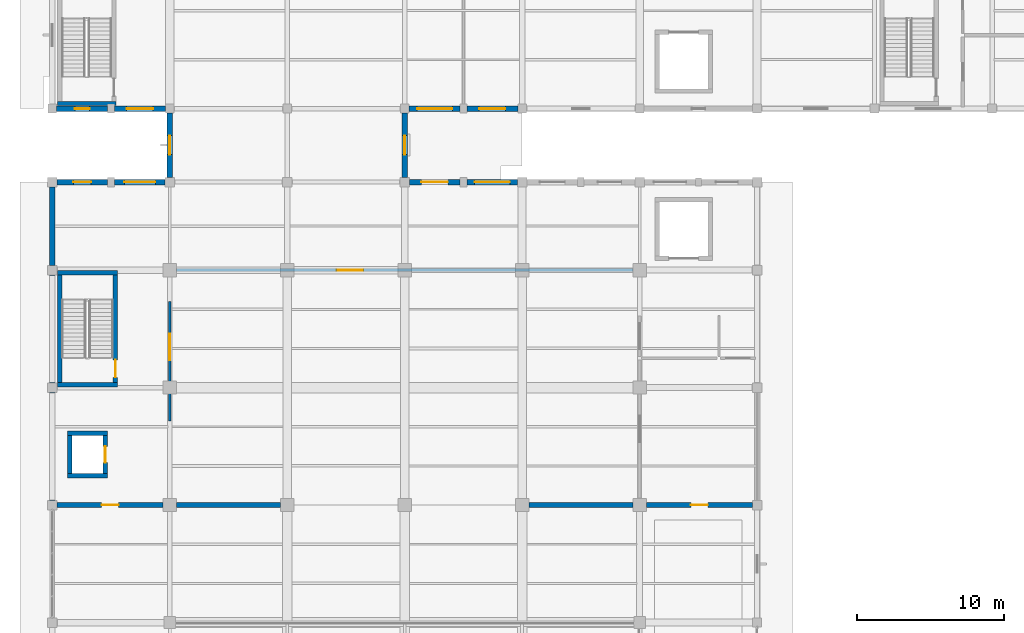
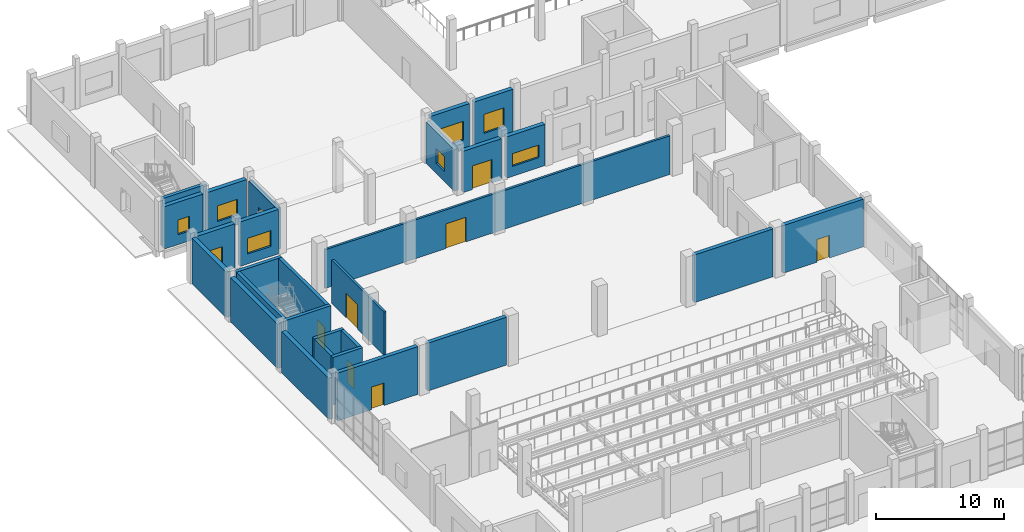
# One storey, part 123 of 156: 28 walls, 9 windows, 7 doors, 16 openings.
"""IFC4 building model written with IfcOpenShell, lengths in metres."""

from ifc_helpers import new_model, si_unit, direction, frame, frame_2d, origin, place, context, subcontext, project, spatial, rectangle, extrude, material, layer, layer_set, type_object, element, fill, save


model = new_model("IFC4")

# Units and contexts
model_context = context("Model", 3, precision=1e-05, world=origin(), true_north=direction((0.0, 1.0)))
body_context = subcontext(model_context, "Body", "Model", "MODEL_VIEW")
ifc_project = project(units=[si_unit("LENGTHUNIT", "METRE"), si_unit("AREAUNIT", "SQUARE_METRE"), si_unit("VOLUMEUNIT", "CUBIC_METRE"), si_unit("PLANEANGLEUNIT", "RADIAN"), si_unit("MASSUNIT", "GRAM", prefix="KILO")], contexts=[model_context])

# Site, building, storey
site_placement = place(None, origin())
site = spatial("IfcSite", under=ifc_project, at=site_placement, CompositionType="ELEMENT")
building_placement = place(site_placement, origin())
building = spatial("IfcBuilding", under=site, at=building_placement, Name="Luwemba Playhouse", CompositionType="ELEMENT")
storey_placement = place(building_placement, origin())
storey = spatial("IfcBuildingStorey", under=building, at=storey_placement, Name="L00", CompositionType="ELEMENT", Elevation=0.0)

# Walls
ifc_material_1 = material(Name="Clay facing brick obra vista masonry", Category="masonry")
ifc_layer_1 = layer(ifc_material_1, 0.3798828125)
ifc_layer_set_1 = layer_set([ifc_layer_1], Name="Clay facing brick obra vista masonry")
wall_type_1 = type_object("IfcWallType", Name="WAL-BRK-380", PredefinedType="SOLIDWALL", material=ifc_layer_set_1)
wall_1_placement = place(storey_placement, frame((4.0, 68.324951171875, 0.0), z_axis=(0.0, 0.0, 1.0), x_axis=(0.0, 1.0, 0.0)))
element("IfcWall", 1, at=wall_1_placement, inside=storey, type_object=wall_type_1, Name="L00 V2 exterior facade wall 0014", PredefinedType="SOLIDWALL", context=body_context, shape_type="SweptSolid", body=[
    extrude(rectangle(XDim=7.35009765625, YDim=0.3798828125, at=frame_2d((3.675048828125, 0.0))), origin(), (0.0, 0.0, 1.0), 3.93505859375),
])
wall_2_placement = place(storey_placement, frame((4.0, 76.324951171875, 0.0), z_axis=(0.0, 0.0, 1.0), x_axis=(0.0, 1.0, 0.0)))
element("IfcWall", 2, at=wall_2_placement, inside=storey, type_object=wall_type_1, Name="L00 V2 exterior facade wall 0015", PredefinedType="SOLIDWALL", context=body_context, shape_type="SweptSolid", body=[
    extrude(rectangle(XDim=7.35009765625, YDim=0.3798828125, at=frame_2d((3.675048828125, 0.0))), origin(), (0.0, 0.0, 1.0), 4.235107421875),
])
wall_3_placement = place(storey_placement, frame((4.0, 84.324951171875, 0.0), z_axis=(0.0, 0.0, 1.0), x_axis=(0.0, 1.0, 0.0)))
element("IfcWall", 3, at=wall_3_placement, inside=storey, type_object=wall_type_1, Name="L00 V2 exterior facade wall 0016", PredefinedType="SOLIDWALL", context=body_context, shape_type="SweptSolid", body=[
    extrude(rectangle(XDim=5.35009765625, YDim=0.3798828125, at=frame_2d((2.675048828125, 0.0))), origin(), (0.0, 0.0, 1.0), 4.3349609375),
])

# Wall, opening, window
wall_4_placement = place(storey_placement, frame((4.324951171875, 90.0, 0.0), z_axis=(0.0, 0.0, 1.0), x_axis=(1.0, 0.0, 0.0)))
wall_4 = element("IfcWall", 4, at=wall_4_placement, inside=storey, type_object=wall_type_1, Name="L00 V2 exterior facade wall 0017", PredefinedType="SOLIDWALL", context=body_context, shape_type="SweptSolid", body=[
    extrude(rectangle(XDim=3.425048828125, YDim=0.3798828125, at=frame_2d((1.71240234375, 0.0))), origin(), (0.0, 0.0, 1.0), 4.235107421875),
])
opening_1_placement = place(wall_4_placement, frame((1.112548828125, 0.0, 0.949951171875)))
opening_1 = element("IfcOpeningElement", 5, at=opening_1_placement, cuts=wall_4, Name="Opening WN-08", PredefinedType="OPENING", context=body_context, shape_type="SweptSolid", body=[
    extrude(rectangle(XDim=1.199951171875, YDim=1.5, at=frame_2d((0.60009765625, 0.75))), frame((0.0, 0.199951171875, 0.0), z_axis=(0.0, -1.0, 0.0), x_axis=(1.0, 0.0, 0.0)), (0.0, 0.0, 1.0), 0.39990234375),
])
ifc_material_2 = material(Name="Solar-control double glazing in aluminium frame", Category="aluminium")
window_type_1 = type_object("IfcWindowType", Name="WIN-WN-08", PartitioningType="SINGLE_PANEL", PredefinedType="WINDOW", material=ifc_material_2)
window_1_placement = place(opening_1_placement, origin())
window_1 = element("IfcWindow", 6, at=window_1_placement, inside=storey, type_object=window_type_1, Name="L00 V2 scheduled window 0006", OverallHeight=1.5, OverallWidth=1.199951171875, PartitioningType="SINGLE_PANEL", PredefinedType="WINDOW", context=body_context, shape_type="SweptSolid", body=[
    extrude(rectangle(XDim=1.199951171875, YDim=1.5, at=frame_2d((0.60009765625, 0.75))), frame((0.0, 0.030029296875, 0.0), z_axis=(0.0, -1.0, 0.0), x_axis=(1.0, 0.0, 0.0)), (0.0, 0.0, 1.0), 0.06005859375),
])
fill(opening_1, window_1)

wall_5_placement = place(storey_placement, frame((8.25, 90.0, 0.0), z_axis=(0.0, 0.0, 1.0), x_axis=(1.0, 0.0, 0.0)))
wall_5 = element("IfcWall", 7, at=wall_5_placement, inside=storey, type_object=wall_type_1, Name="L00 V2 exterior facade wall 0018", PredefinedType="SOLIDWALL", context=body_context, shape_type="SweptSolid", body=[
    extrude(rectangle(XDim=3.425048828125, YDim=0.3798828125, at=frame_2d((1.71240234375, 0.0))), origin(), (0.0, 0.0, 1.0), 4.235107421875),
])
opening_2_placement = place(wall_5_placement, frame((0.66259765625, 0.0, 0.949951171875)))
opening_2 = element("IfcOpeningElement", 8, at=opening_2_placement, cuts=wall_5, Name="Opening WN-11", PredefinedType="OPENING", context=body_context, shape_type="SweptSolid", body=[
    extrude(rectangle(XDim=2.10009765625, YDim=1.5, at=frame_2d((1.050048828125, 0.75))), frame((0.0, 0.199951171875, 0.0), z_axis=(0.0, -1.0, 0.0), x_axis=(1.0, 0.0, 0.0)), (0.0, 0.0, 1.0), 0.39990234375),
])
window_type_2 = type_object("IfcWindowType", Name="WIN-WN-11", PartitioningType="TRIPLE_PANEL_VERTICAL", PredefinedType="WINDOW", material=ifc_material_2)
window_2_placement = place(opening_2_placement, origin())
window_2 = element("IfcWindow", 9, at=window_2_placement, inside=storey, type_object=window_type_2, Name="L00 V2 scheduled window 0007", OverallHeight=1.5, OverallWidth=2.10009765625, PartitioningType="TRIPLE_PANEL_VERTICAL", PredefinedType="WINDOW", context=body_context, shape_type="SweptSolid", body=[
    extrude(rectangle(XDim=2.10009765625, YDim=1.5, at=frame_2d((1.050048828125, 0.75))), frame((0.0, 0.030029296875, 0.0), z_axis=(0.0, -1.0, 0.0), x_axis=(1.0, 0.0, 0.0)), (0.0, 0.0, 1.0), 0.06005859375),
])
fill(opening_2, window_2)

# Wall, opening, door
wall_6_placement = place(storey_placement, frame((28.324951171875, 90.0, 0.0), z_axis=(0.0, 0.0, 1.0), x_axis=(1.0, 0.0, 0.0)))
wall_6 = element("IfcWall", 10, at=wall_6_placement, inside=storey, type_object=wall_type_1, Name="L00 V2 exterior facade wall 0019", PredefinedType="SOLIDWALL", context=body_context, shape_type="SweptSolid", body=[
    extrude(rectangle(XDim=3.425048828125, YDim=0.3798828125, at=frame_2d((1.71240234375, 0.0))), origin(), (0.0, 0.0, 1.0), 3.93505859375),
])
opening_3_placement = place(wall_6_placement, frame((0.8125, 0.0, 0.0)))
opening_3 = element("IfcOpeningElement", 11, at=opening_3_placement, cuts=wall_6, Name="Opening E17", PredefinedType="OPENING", context=body_context, shape_type="SweptSolid", body=[
    extrude(rectangle(XDim=1.800048828125, YDim=2.25, at=frame_2d((0.89990234375, 1.125))), frame((0.0, 0.199951171875, 0.0), z_axis=(0.0, -1.0, 0.0), x_axis=(1.0, 0.0, 0.0)), (0.0, 0.0, 1.0), 0.39990234375),
])
ifc_material_3 = material(Name="Architectural bronze-anodised aluminium and glazed leaf", Category="aluminium")
door_type_1 = type_object("IfcDoorType", Name="DR-EXIT-180", OperationType="NOTDEFINED", PredefinedType="DOOR", material=ifc_material_3)
door_1_placement = place(opening_3_placement, origin())
door_1 = element("IfcDoor", 12, at=door_1_placement, inside=storey, type_object=door_type_1, Name="Stair ST-03 final exit discharge door", OperationType="DOUBLE_DOOR_SINGLE_SWING", OverallHeight=2.25, OverallWidth=1.800048828125, PredefinedType="DOOR", context=body_context, shape_type="SweptSolid", body=[
    extrude(rectangle(XDim=1.800048828125, YDim=2.25, at=frame_2d((0.89990234375, 1.125))), frame((0.0, 0.02490234375, 0.0), z_axis=(0.0, -1.0, 0.0), x_axis=(1.0, 0.0, 0.0)), (0.0, 0.0, 1.0), 0.050048828125),
])
fill(opening_3, door_1)

# Wall, opening, window
wall_7_placement = place(storey_placement, frame((32.25, 90.0, 0.0), z_axis=(0.0, 0.0, 1.0), x_axis=(1.0, 0.0, 0.0)))
wall_7 = element("IfcWall", 13, at=wall_7_placement, inside=storey, type_object=wall_type_1, Name="L00 V2 exterior facade wall 0020", PredefinedType="SOLIDWALL", context=body_context, shape_type="SweptSolid", body=[
    extrude(rectangle(XDim=3.425048828125, YDim=0.3798828125, at=frame_2d((1.71240234375, 0.0))), origin(), (0.0, 0.0, 1.0), 3.93505859375),
])
opening_4_placement = place(wall_7_placement, frame((0.512451171875, 0.0, 0.949951171875)))
opening_4 = element("IfcOpeningElement", 14, at=opening_4_placement, cuts=wall_7, Name="Opening WN-17", PredefinedType="OPENING", context=body_context, shape_type="SweptSolid", body=[
    extrude(rectangle(XDim=2.39990234375, YDim=1.199951171875, at=frame_2d((1.199951171875, 0.60009765625))), frame((0.0, 0.199951171875, 0.0), z_axis=(0.0, -1.0, 0.0), x_axis=(1.0, 0.0, 0.0)), (0.0, 0.0, 1.0), 0.39990234375),
])
window_type_3 = type_object("IfcWindowType", Name="WIN-WN-17", PartitioningType="TRIPLE_PANEL_HORIZONTAL", PredefinedType="WINDOW", material=ifc_material_2)
window_3_placement = place(opening_4_placement, origin())
window_3 = element("IfcWindow", 15, at=window_3_placement, inside=storey, type_object=window_type_3, Name="L00 V2 scheduled window 0008", OverallHeight=1.199951171875, OverallWidth=2.39990234375, PartitioningType="TRIPLE_PANEL_HORIZONTAL", PredefinedType="WINDOW", context=body_context, shape_type="SweptSolid", body=[
    extrude(rectangle(XDim=2.39990234375, YDim=1.199951171875, at=frame_2d((1.199951171875, 0.60009765625))), frame((0.0, 0.030029296875, 0.0), z_axis=(0.0, -1.0, 0.0), x_axis=(1.0, 0.0, 0.0)), (0.0, 0.0, 1.0), 0.06005859375),
])
fill(opening_4, window_3)

wall_8_placement = place(storey_placement, frame((35.699951171875, 95.0, 0.0), z_axis=(0.0, 0.0, 1.0), x_axis=(-1.0, 0.0, 0.0)))
wall_8 = element("IfcWall", 16, at=wall_8_placement, inside=storey, type_object=wall_type_1, Name="L00 V6W exterior facade wall 0107", PredefinedType="SOLIDWALL", context=body_context, shape_type="SweptSolid", body=[
    extrude(rectangle(XDim=3.474853515625, YDim=0.3798828125, at=frame_2d((1.7373046875, 0.0))), origin(), (0.0, 0.0, 1.0), 4.235107421875),
])
opening_5_placement = place(wall_8_placement, frame((0.83740234375, 0.0, 0.949951171875)))
opening_5 = element("IfcOpeningElement", 17, at=opening_5_placement, cuts=wall_8, Name="Opening WN-04", PredefinedType="OPENING", context=body_context, shape_type="SweptSolid", body=[
    extrude(rectangle(XDim=1.800048828125, YDim=1.800048828125, at=frame_2d((0.89990234375, 0.89990234375))), frame((0.0, 0.199951171875, 0.0), z_axis=(0.0, -1.0, 0.0), x_axis=(1.0, 0.0, 0.0)), (0.0, 0.0, 1.0), 0.39990234375),
])
window_type_4 = type_object("IfcWindowType", Name="WIN-WN-04", PartitioningType="DOUBLE_PANEL_VERTICAL", PredefinedType="WINDOW", material=ifc_material_2)
window_4_placement = place(opening_5_placement, origin())
window_4 = element("IfcWindow", 18, at=window_4_placement, inside=storey, type_object=window_type_4, Name="L00 V6W scheduled window 0066", OverallHeight=1.800048828125, OverallWidth=1.800048828125, PartitioningType="DOUBLE_PANEL_VERTICAL", PredefinedType="WINDOW", context=body_context, shape_type="SweptSolid", body=[
    extrude(rectangle(XDim=1.800048828125, YDim=1.800048828125, at=frame_2d((0.89990234375, 0.89990234375))), frame((0.0, 0.030029296875, 0.0), z_axis=(0.0, -1.0, 0.0), x_axis=(1.0, 0.0, 0.0)), (0.0, 0.0, 1.0), 0.06005859375),
])
fill(opening_5, window_4)

wall_9_placement = place(storey_placement, frame((31.77490234375, 95.0, 0.0), z_axis=(0.0, 0.0, 1.0), x_axis=(-1.0, 0.0, 0.0)))
wall_9 = element("IfcWall", 19, at=wall_9_placement, inside=storey, type_object=wall_type_1, Name="L00 V6W exterior facade wall 0108", PredefinedType="SOLIDWALL", context=body_context, shape_type="SweptSolid", body=[
    extrude(rectangle(XDim=3.474853515625, YDim=0.3798828125, at=frame_2d((1.7373046875, 0.0))), origin(), (0.0, 0.0, 1.0), 4.235107421875),
])
opening_6_placement = place(wall_9_placement, frame((0.53759765625, 0.0, 0.949951171875)))
opening_6 = element("IfcOpeningElement", 20, at=opening_6_placement, cuts=wall_9, Name="Opening WN-07", PredefinedType="OPENING", context=body_context, shape_type="SweptSolid", body=[
    extrude(rectangle(XDim=2.39990234375, YDim=1.800048828125, at=frame_2d((1.199951171875, 0.89990234375))), frame((0.0, 0.199951171875, 0.0), z_axis=(0.0, -1.0, 0.0), x_axis=(1.0, 0.0, 0.0)), (0.0, 0.0, 1.0), 0.39990234375),
])
window_type_5 = type_object("IfcWindowType", Name="WIN-WN-07", PartitioningType="TRIPLE_PANEL_VERTICAL", PredefinedType="WINDOW", material=ifc_material_2)
window_5_placement = place(opening_6_placement, origin())
window_5 = element("IfcWindow", 21, at=window_5_placement, inside=storey, type_object=window_type_5, Name="L00 V6W scheduled window 0067", OverallHeight=1.800048828125, OverallWidth=2.39990234375, PartitioningType="TRIPLE_PANEL_VERTICAL", PredefinedType="WINDOW", context=body_context, shape_type="SweptSolid", body=[
    extrude(rectangle(XDim=2.39990234375, YDim=1.800048828125, at=frame_2d((1.199951171875, 0.89990234375))), frame((0.0, 0.030029296875, 0.0), z_axis=(0.0, -1.0, 0.0), x_axis=(1.0, 0.0, 0.0)), (0.0, 0.0, 1.0), 0.06005859375),
])
fill(opening_6, window_5)

wall_10_placement = place(storey_placement, frame((11.699951171875, 95.0, 0.0), z_axis=(0.0, 0.0, 1.0), x_axis=(-1.0, 0.0, 0.0)))
wall_10 = element("IfcWall", 22, at=wall_10_placement, inside=storey, type_object=wall_type_1, Name="L00 V6W exterior facade wall 0109", PredefinedType="SOLIDWALL", context=body_context, shape_type="SweptSolid", body=[
    extrude(rectangle(XDim=3.474853515625, YDim=0.3798828125, at=frame_2d((1.7373046875, 0.0))), origin(), (0.0, 0.0, 1.0), 4.034912109375),
])
opening_7_placement = place(wall_10_placement, frame((0.83740234375, 0.0, 0.949951171875)))
opening_7 = element("IfcOpeningElement", 23, at=opening_7_placement, cuts=wall_10, Name="Opening WN-10", PredefinedType="OPENING", context=body_context, shape_type="SweptSolid", body=[
    extrude(rectangle(XDim=1.800048828125, YDim=1.5, at=frame_2d((0.89990234375, 0.75))), frame((0.0, 0.199951171875, 0.0), z_axis=(0.0, -1.0, 0.0), x_axis=(1.0, 0.0, 0.0)), (0.0, 0.0, 1.0), 0.39990234375),
])
window_type_6 = type_object("IfcWindowType", Name="WIN-WN-10", PartitioningType="DOUBLE_PANEL_VERTICAL", PredefinedType="WINDOW", material=ifc_material_2)
window_6_placement = place(opening_7_placement, origin())
window_6 = element("IfcWindow", 24, at=window_6_placement, inside=storey, type_object=window_type_6, Name="L00 V6W scheduled window 0068", OverallHeight=1.5, OverallWidth=1.800048828125, PartitioningType="DOUBLE_PANEL_VERTICAL", PredefinedType="WINDOW", context=body_context, shape_type="SweptSolid", body=[
    extrude(rectangle(XDim=1.800048828125, YDim=1.5, at=frame_2d((0.89990234375, 0.75))), frame((0.0, 0.030029296875, 0.0), z_axis=(0.0, -1.0, 0.0), x_axis=(1.0, 0.0, 0.0)), (0.0, 0.0, 1.0), 0.06005859375),
])
fill(opening_7, window_6)

wall_11_placement = place(storey_placement, frame((7.77490234375, 95.0, 0.0), z_axis=(0.0, 0.0, 1.0), x_axis=(-1.0, 0.0, 0.0)))
wall_11 = element("IfcWall", 25, at=wall_11_placement, inside=storey, type_object=wall_type_1, Name="L00 V6W exterior facade wall 0110", PredefinedType="SOLIDWALL", context=body_context, shape_type="SweptSolid", body=[
    extrude(rectangle(XDim=3.474853515625, YDim=0.3798828125, at=frame_2d((1.7373046875, 0.0))), origin(), (0.0, 0.0, 1.0), 4.034912109375),
])
opening_8_placement = place(wall_11_placement, frame((1.237548828125, 0.0, 0.949951171875)))
opening_8 = element("IfcOpeningElement", 26, at=opening_8_placement, cuts=wall_11, Name="Opening WN-13", PredefinedType="OPENING", context=body_context, shape_type="SweptSolid", body=[
    extrude(rectangle(XDim=1.0, YDim=1.39990234375, at=frame_2d((0.5, 0.699951171875))), frame((0.0, 0.199951171875, 0.0), z_axis=(0.0, -1.0, 0.0), x_axis=(1.0, 0.0, 0.0)), (0.0, 0.0, 1.0), 0.39990234375),
])
window_type_7 = type_object("IfcWindowType", Name="WIN-WN-13", PartitioningType="SINGLE_PANEL", PredefinedType="WINDOW", material=ifc_material_2)
window_7_placement = place(opening_8_placement, origin())
window_7 = element("IfcWindow", 27, at=window_7_placement, inside=storey, type_object=window_type_7, Name="L00 V6W scheduled window 0069", OverallHeight=1.39990234375, OverallWidth=1.0, PartitioningType="SINGLE_PANEL", PredefinedType="WINDOW", context=body_context, shape_type="SweptSolid", body=[
    extrude(rectangle(XDim=1.0, YDim=1.39990234375, at=frame_2d((0.5, 0.699951171875))), frame((0.0, 0.030029296875, 0.0), z_axis=(0.0, -1.0, 0.0), x_axis=(1.0, 0.0, 0.0)), (0.0, 0.0, 1.0), 0.06005859375),
])
fill(opening_8, window_7)

wall_12_placement = place(storey_placement, frame((12.0, 90.324951171875, 0.0), z_axis=(0.0, 0.0, 1.0), x_axis=(0.0, 1.0, 0.0)))
wall_12 = element("IfcWall", 28, at=wall_12_placement, inside=storey, type_object=wall_type_1, Name="L00 DOCKLINK exterior facade wall 0134", PredefinedType="SOLIDWALL", context=body_context, shape_type="SweptSolid", body=[
    extrude(rectangle(XDim=4.375, YDim=0.3798828125, at=frame_2d((2.1875, 0.0))), origin(), (0.0, 0.0, 1.0), 3.945068359375),
])
opening_9_placement = place(wall_12_placement, frame((1.53759765625, 0.0, 0.949951171875)))
opening_9 = element("IfcOpeningElement", 29, at=opening_9_placement, cuts=wall_12, Name="Opening WN-14", PredefinedType="OPENING", context=body_context, shape_type="SweptSolid", body=[
    extrude(rectangle(XDim=1.300048828125, YDim=1.39990234375, at=frame_2d((0.64990234375, 0.699951171875))), frame((0.0, 0.199951171875, 0.0), z_axis=(0.0, -1.0, 0.0), x_axis=(1.0, 0.0, 0.0)), (0.0, 0.0, 1.0), 0.39990234375),
])
window_type_8 = type_object("IfcWindowType", Name="WIN-WN-14", PartitioningType="SINGLE_PANEL", PredefinedType="WINDOW", material=ifc_material_2)
window_8_placement = place(opening_9_placement, origin())
window_8 = element("IfcWindow", 30, at=window_8_placement, inside=storey, type_object=window_type_8, Name="L00 DOCKLINK scheduled window 0089", OverallHeight=1.39990234375, OverallWidth=1.300048828125, PartitioningType="SINGLE_PANEL", PredefinedType="WINDOW", context=body_context, shape_type="SweptSolid", body=[
    extrude(rectangle(XDim=1.300048828125, YDim=1.39990234375, at=frame_2d((0.64990234375, 0.699951171875))), frame((0.0, 0.030029296875, 0.0), z_axis=(0.0, -1.0, 0.0), x_axis=(1.0, 0.0, 0.0)), (0.0, 0.0, 1.0), 0.06005859375),
])
fill(opening_9, window_8)

wall_13_placement = place(storey_placement, frame((28.0, 94.699951171875, 0.0), z_axis=(0.0, 0.0, 1.0), x_axis=(0.0, -1.0, 0.0)))
wall_13 = element("IfcWall", 31, at=wall_13_placement, inside=storey, type_object=wall_type_1, Name="L00 DOCKLINK exterior facade wall 0135", PredefinedType="SOLIDWALL", context=body_context, shape_type="SweptSolid", body=[
    extrude(rectangle(XDim=4.375, YDim=0.3798828125, at=frame_2d((2.1875, 0.0))), origin(), (0.0, 0.0, 1.0), 3.945068359375),
])
opening_10_placement = place(wall_13_placement, frame((1.53759765625, 0.0, 0.949951171875)))
opening_10 = element("IfcOpeningElement", 32, at=opening_10_placement, cuts=wall_13, Name="Opening WN-14", PredefinedType="OPENING", context=body_context, shape_type="SweptSolid", body=[
    extrude(rectangle(XDim=1.300048828125, YDim=1.39990234375, at=frame_2d((0.64990234375, 0.699951171875))), frame((0.0, 0.199951171875, 0.0), z_axis=(0.0, -1.0, 0.0), x_axis=(1.0, 0.0, 0.0)), (0.0, 0.0, 1.0), 0.39990234375),
])
window_9_placement = place(opening_10_placement, origin())
window_9 = element("IfcWindow", 33, at=window_9_placement, inside=storey, type_object=window_type_8, Name="L00 DOCKLINK scheduled window 0090", OverallHeight=1.39990234375, OverallWidth=1.300048828125, PartitioningType="SINGLE_PANEL", PredefinedType="WINDOW", context=body_context, shape_type="SweptSolid", body=[
    extrude(rectangle(XDim=1.300048828125, YDim=1.39990234375, at=frame_2d((0.64990234375, 0.699951171875))), frame((0.0, 0.030029296875, 0.0), z_axis=(0.0, -1.0, 0.0), x_axis=(1.0, 0.0, 0.0)), (0.0, 0.0, 1.0), 0.06005859375),
])
fill(opening_10, window_9)

# Walls
ifc_material_4 = material(Name="Concrete C40/50", Category="concrete")
ifc_layer_2 = layer(ifc_material_4, 0.300048828125)
ifc_layer_set_2 = layer_set([ifc_layer_2], Name="Concrete C40/50")
wall_type_2 = type_object("IfcWallType", Name="WAL-CORE-300", PredefinedType="SHEAR", material=ifc_layer_set_2)
for number, where, z_axis, x_axis, name in (
    (34, (4.35009765625, 76.18994140625, 0.0), (0.0, 0.0, 1.0), (1.0, 0.0, 0.0), "L00 ST-03 stair core wall S"),
    (35, (8.449951171875, 83.81005859375, 0.0), (0.0, 0.0, 1.0), (-1.0, 0.0, 0.0), "L00 ST-03 stair core wall N"),
):
    element("IfcWall", number, at=place(storey_placement, frame(where, z_axis=z_axis, x_axis=x_axis)), inside=storey, type_object=wall_type_2, Name=name, PredefinedType="SHEAR", context=body_context, shape_type="SweptSolid", body=[
        extrude(rectangle(XDim=4.099853515625, YDim=0.300048828125, at=frame_2d((2.0498046875, 0.0))), origin(), (0.0, 0.0, 1.0), 4.550048828125),
    ])
wall_14_placement = place(storey_placement, frame((4.5, 76.340087890625, 0.0), z_axis=(0.0, 0.0, 1.0), x_axis=(0.0, 1.0, 0.0)))
element("IfcWall", 36, at=wall_14_placement, inside=storey, type_object=wall_type_2, Name="L00 ST-03 stair core wall W", PredefinedType="SHEAR", context=body_context, shape_type="SweptSolid", body=[
    extrude(rectangle(XDim=7.31982421875, YDim=0.300048828125, at=frame_2d((3.659912109375, 0.0))), origin(), (0.0, 0.0, 1.0), 4.550048828125),
])

# Wall, opening, door
wall_15_placement = place(storey_placement, frame((8.300048828125, 83.659912109375, 0.0), z_axis=(0.0, 0.0, 1.0), x_axis=(0.0, -1.0, 0.0)))
wall_15 = element("IfcWall", 37, at=wall_15_placement, inside=storey, type_object=wall_type_2, Name="L00 ST-03 stair core wall E", PredefinedType="SHEAR", context=body_context, shape_type="SweptSolid", body=[
    extrude(rectangle(XDim=7.31982421875, YDim=0.300048828125, at=frame_2d((3.659912109375, 0.0))), origin(), (0.0, 0.0, 1.0), 4.550048828125),
])
opening_11_placement = place(wall_15_placement, frame((5.77001953125, 0.0, 0.0)))
opening_11 = element("IfcOpeningElement", 38, at=opening_11_placement, cuts=wall_15, Name="Opening D-STAIR3", PredefinedType="OPENING", context=body_context, shape_type="SweptSolid", body=[
    extrude(rectangle(XDim=1.199951171875, YDim=2.14990234375, at=frame_2d((0.60009765625, 1.074951171875))), frame((0.0, 0.159912109375, 0.0), z_axis=(0.0, -1.0, 0.0), x_axis=(1.0, 0.0, 0.0)), (0.0, 0.0, 1.0), 0.320068359375),
])
ifc_material_5 = material(Name="Hardwood acoustic fire door leaf", Category="wood")
door_type_2 = type_object("IfcDoorType", Name="DR-STAIR-120", OperationType="NOTDEFINED", PredefinedType="DOOR", material=ifc_material_5)
door_2_placement = place(opening_11_placement, origin())
door_2 = element("IfcDoor", 39, at=door_2_placement, inside=storey, type_object=door_type_2, Name="L00 ST-03 protected stair entry door", OperationType="SINGLE_SWING_LEFT", OverallHeight=2.14990234375, OverallWidth=1.199951171875, PredefinedType="DOOR", context=body_context, shape_type="SweptSolid", body=[
    extrude(rectangle(XDim=1.199951171875, YDim=2.14990234375, at=frame_2d((0.60009765625, 1.074951171875))), frame((0.0, 0.02490234375, 0.0), z_axis=(0.0, -1.0, 0.0), x_axis=(1.0, 0.0, 0.0)), (0.0, 0.0, 1.0), 0.050048828125),
])
fill(opening_11, door_2)

# Walls
wall_16_placement = place(storey_placement, frame((4.35009765625, 95.35009765625, 0.0), z_axis=(0.0, 0.0, 1.0), x_axis=(1.0, 0.0, 0.0)))
element("IfcWall", 40, at=wall_16_placement, inside=storey, type_object=wall_type_2, Name="L00 ST-08 stair core wall S", PredefinedType="SHEAR", context=body_context, shape_type="SweptSolid", body=[
    extrude(rectangle(XDim=4.0, YDim=0.300048828125, at=frame_2d((2.0, 0.0))), origin(), (0.0, 0.0, 1.0), 4.550048828125),
])
for number, where, z_axis, x_axis, name in (
    (41, (5.050048828125, 70.0, 0.0), (0.0, 0.0, 1.0), (1.0, 0.0, 0.0), "L00 Lift LF-P2 shaft wall S"),
    (42, (7.75, 72.89990234375, 0.0), (0.0, 0.0, 1.0), (-1.0, 0.0, 0.0), "L00 Lift LF-P2 shaft wall N"),
):
    element("IfcWall", number, at=place(storey_placement, frame(where, z_axis=z_axis, x_axis=x_axis)), inside=storey, type_object=wall_type_2, Name=name, PredefinedType="SHEAR", context=body_context, shape_type="SweptSolid", body=[
        extrude(rectangle(XDim=2.699951171875, YDim=0.300048828125, at=frame_2d((1.35009765625, 0.0))), origin(), (0.0, 0.0, 1.0), 4.550048828125),
    ])
wall_17_placement = place(storey_placement, frame((5.199951171875, 70.14990234375, 0.0), z_axis=(0.0, 0.0, 1.0), x_axis=(0.0, 1.0, 0.0)))
element("IfcWall", 43, at=wall_17_placement, inside=storey, type_object=wall_type_2, Name="L00 Lift LF-P2 shaft wall W", PredefinedType="SHEAR", context=body_context, shape_type="SweptSolid", body=[
    extrude(rectangle(XDim=2.60009765625, YDim=0.300048828125, at=frame_2d((1.300048828125, 0.0))), origin(), (0.0, 0.0, 1.0), 4.550048828125),
])

# Wall, opening, door
wall_18_placement = place(storey_placement, frame((7.60009765625, 72.75, 0.0), z_axis=(0.0, 0.0, 1.0), x_axis=(0.0, -1.0, 0.0)))
wall_18 = element("IfcWall", 44, at=wall_18_placement, inside=storey, type_object=wall_type_2, Name="L00 Lift LF-P2 shaft wall E", PredefinedType="SHEAR", context=body_context, shape_type="SweptSolid", body=[
    extrude(rectangle(XDim=2.60009765625, YDim=0.300048828125, at=frame_2d((1.300048828125, 0.0))), origin(), (0.0, 0.0, 1.0), 4.550048828125),
])
opening_12_placement = place(wall_18_placement, frame((0.75, 0.0, 0.0)))
opening_12 = element("IfcOpeningElement", 45, at=opening_12_placement, cuts=wall_18, Name="Opening LD-01", PredefinedType="OPENING", context=body_context, shape_type="SweptSolid", body=[
    extrude(rectangle(XDim=1.10009765625, YDim=2.14990234375, at=frame_2d((0.550048828125, 1.074951171875))), frame((0.0, 0.159912109375, 0.0), z_axis=(0.0, -1.0, 0.0), x_axis=(1.0, 0.0, 0.0)), (0.0, 0.0, 1.0), 0.320068359375),
])
ifc_material_6 = material(Name="Stainless steel lift landing doors", Category="steel")
door_type_3 = type_object("IfcDoorType", Name="DR-LIFT-110", OperationType="NOTDEFINED", PredefinedType="DOOR", material=ifc_material_6)
door_3_placement = place(opening_12_placement, origin())
door_3 = element("IfcDoor", 46, at=door_3_placement, inside=storey, type_object=door_type_3, Name="L00 Lift LF-P2 landing door", OperationType="DOUBLE_DOOR_SLIDING", OverallHeight=2.14990234375, OverallWidth=1.10009765625, PredefinedType="DOOR", context=body_context, shape_type="SweptSolid", body=[
    extrude(rectangle(XDim=1.10009765625, YDim=2.14990234375, at=frame_2d((0.550048828125, 1.074951171875))), frame((0.0, 0.02490234375, 0.0), z_axis=(0.0, -1.0, 0.0), x_axis=(1.0, 0.0, 0.0)), (0.0, 0.0, 1.0), 0.050048828125),
])
fill(opening_12, door_3)

ifc_material_7 = material(Name="Clay acoustic masonry blockwork", Category="masonry")
ifc_layer_3 = layer(ifc_material_7, 0.199951171875)
ifc_layer_set_3 = layer_set([ifc_layer_3], Name="Clay acoustic masonry blockwork")
wall_type_3 = type_object("IfcWallType", Name="WAL-INT-200", PredefinedType="PARTITIONING", material=ifc_layer_set_3)
wall_19_placement = place(storey_placement, frame((12.469970703125, 84.0, 0.0), z_axis=(0.0, 0.0, 1.0), x_axis=(1.0, 0.0, 0.0)))
wall_19 = element("IfcWall", 47, at=wall_19_placement, inside=storey, type_object=wall_type_3, Name="L00 V2 interior partition 0067", PredefinedType="PARTITIONING", context=body_context, shape_type="SweptSolid", body=[
    extrude(rectangle(XDim=31.06005859375, YDim=0.199951171875, at=frame_2d((15.530029296875, 0.0))), origin(), (0.0, 0.0, 1.0), 3.68505859375),
])
opening_13_placement = place(wall_19_placement, frame((10.90283203125, 0.0, 0.0)))
opening_13 = element("IfcOpeningElement", 48, at=opening_13_placement, cuts=wall_19, Name="Opening D-AUD1", PredefinedType="OPENING", context=body_context, shape_type="SweptSolid", body=[
    extrude(rectangle(XDim=1.800048828125, YDim=2.35009765625, at=frame_2d((0.89990234375, 1.175048828125))), frame((0.0, 0.10986328125, 0.0), z_axis=(0.0, -1.0, 0.0), x_axis=(1.0, 0.0, 0.0)), (0.0, 0.0, 1.0), 0.219970703125),
])
ifc_material_8 = material(Name="Double acoustic timber theatre door", Category="wood")
door_type_4 = type_object("IfcDoorType", Name="DR-AUD-180", OperationType="NOTDEFINED", PredefinedType="DOOR", material=ifc_material_8)
door_4_placement = place(opening_13_placement, origin())
door_4 = element("IfcDoor", 49, at=door_4_placement, inside=storey, type_object=door_type_4, Name="L00 Main Proscenium Stage to Rear Stage Assembly Crossover door", OperationType="DOUBLE_DOOR_SINGLE_SWING", OverallHeight=2.35009765625, OverallWidth=1.800048828125, PredefinedType="DOOR", context=body_context, shape_type="SweptSolid", body=[
    extrude(rectangle(XDim=1.800048828125, YDim=2.35009765625, at=frame_2d((0.89990234375, 1.175048828125))), frame((0.0, 0.02490234375, 0.0), z_axis=(0.0, -1.0, 0.0), x_axis=(1.0, 0.0, 0.0)), (0.0, 0.0, 1.0), 0.050048828125),
])
fill(opening_13, door_4)

wall_20_placement = place(storey_placement, frame((12.0, 73.719970703125, 0.0), z_axis=(0.0, 0.0, 1.0), x_axis=(0.0, 1.0, 0.0)))
wall_20 = element("IfcWall", 50, at=wall_20_placement, inside=storey, type_object=wall_type_3, Name="L00 V2 interior partition 0068", PredefinedType="PARTITIONING", context=body_context, shape_type="SweptSolid", body=[
    extrude(rectangle(XDim=8.159912109375, YDim=0.199951171875, at=frame_2d((4.080078125, 0.0))), origin(), (0.0, 0.0, 1.0), 4.14501953125),
])
opening_14_placement = place(wall_20_placement, frame((4.1591796875, 0.0, 0.0)))
opening_14 = element("IfcOpeningElement", 51, at=opening_14_placement, cuts=wall_20, Name="Opening D-AUD1", PredefinedType="OPENING", context=body_context, shape_type="SweptSolid", body=[
    extrude(rectangle(XDim=1.800048828125, YDim=2.35009765625, at=frame_2d((0.89990234375, 1.175048828125))), frame((0.0, 0.10986328125, 0.0), z_axis=(0.0, -1.0, 0.0), x_axis=(1.0, 0.0, 0.0)), (0.0, 0.0, 1.0), 0.219970703125),
])
door_5_placement = place(opening_14_placement, origin())
door_5 = element("IfcDoor", 52, at=door_5_placement, inside=storey, type_object=door_type_4, Name="L00 Main Proscenium Stage to Prompt Side Stage Wing door", OperationType="DOUBLE_DOOR_SINGLE_SWING", OverallHeight=2.35009765625, OverallWidth=1.800048828125, PredefinedType="DOOR", context=body_context, shape_type="SweptSolid", body=[
    extrude(rectangle(XDim=1.800048828125, YDim=2.35009765625, at=frame_2d((0.89990234375, 1.175048828125))), frame((0.0, 0.02490234375, 0.0), z_axis=(0.0, -1.0, 0.0), x_axis=(1.0, 0.0, 0.0)), (0.0, 0.0, 1.0), 0.050048828125),
])
fill(opening_14, door_5)

ifc_layer_4 = layer(ifc_material_4, 0.35009765625)
ifc_layer_set_4 = layer_set([ifc_layer_4], Name="Concrete C40/50")
wall_type_4 = type_object("IfcWallType", Name="WAL-PROS-350", PredefinedType="SHEAR", material=ifc_layer_set_4)
wall_21_placement = place(storey_placement, frame((4.324951171875, 68.0, 0.0), z_axis=(0.0, 0.0, 1.0), x_axis=(1.0, 0.0, 0.0)))
wall_21 = element("IfcWall", 53, at=wall_21_placement, inside=storey, type_object=wall_type_4, Name="L00 Proscenium fire wall 07", PredefinedType="SHEAR", context=body_context, shape_type="SweptSolid", body=[
    extrude(rectangle(XDim=7.22509765625, YDim=0.35009765625, at=frame_2d((3.612548828125, 0.0))), origin(), (0.0, 0.0, 1.0), 4.550048828125),
])
opening_15_placement = place(wall_21_placement, frame((3.03759765625, 0.0, 0.0)))
opening_15 = element("IfcOpeningElement", 54, at=opening_15_placement, cuts=wall_21, Name="Opening D-FD60", PredefinedType="OPENING", context=body_context, shape_type="SweptSolid", body=[
    extrude(rectangle(XDim=1.14990234375, YDim=2.14990234375, at=frame_2d((0.574951171875, 1.074951171875))), frame((0.0, 0.18505859375, 0.0), z_axis=(0.0, -1.0, 0.0), x_axis=(1.0, 0.0, 0.0)), (0.0, 0.0, 1.0), 0.3701171875),
])
ifc_material_9 = material(Name="Hardwood smoke-sealed fire door leaf", Category="wood")
door_type_5 = type_object("IfcDoorType", Name="DR-FFL-115", OperationType="NOTDEFINED", PredefinedType="DOOR", material=ifc_material_9)
door_6_placement = place(opening_15_placement, origin())
door_6 = element("IfcDoor", 55, at=door_6_placement, inside=storey, type_object=door_type_5, Name="L00 Proscenium acoustic stage pass door 7", OperationType="SINGLE_SWING_LEFT", OverallHeight=2.14990234375, OverallWidth=1.14990234375, PredefinedType="DOOR", context=body_context, shape_type="SweptSolid", body=[
    extrude(rectangle(XDim=1.14990234375, YDim=2.14990234375, at=frame_2d((0.574951171875, 1.074951171875))), frame((0.0, 0.02490234375, 0.0), z_axis=(0.0, -1.0, 0.0), x_axis=(1.0, 0.0, 0.0)), (0.0, 0.0, 1.0), 0.050048828125),
])
fill(opening_15, door_6)

# Walls
for number, where, z_axis, x_axis, name in (
    (56, (12.449951171875, 68.0, 0.0), (0.0, 0.0, 1.0), (1.0, 0.0, 0.0), "L00 Proscenium fire wall 08"),
    (57, (36.449951171875, 68.0, 0.0), (0.0, 0.0, 1.0), (1.0, 0.0, 0.0), "L00 Proscenium fire wall 09"),
):
    element("IfcWall", number, at=place(storey_placement, frame(where, z_axis=z_axis, x_axis=x_axis)), inside=storey, type_object=wall_type_4, Name=name, PredefinedType="SHEAR", context=body_context, shape_type="SweptSolid", body=[
        extrude(rectangle(XDim=7.10009765625, YDim=0.35009765625, at=frame_2d((3.550048828125, 0.0))), origin(), (0.0, 0.0, 1.0), 4.550048828125),
    ])

# Wall, opening, door
wall_22_placement = place(storey_placement, frame((44.449951171875, 68.0, 0.0), z_axis=(0.0, 0.0, 1.0), x_axis=(1.0, 0.0, 0.0)))
wall_22 = element("IfcWall", 58, at=wall_22_placement, inside=storey, type_object=wall_type_4, Name="L00 Proscenium fire wall 10", PredefinedType="SHEAR", context=body_context, shape_type="SweptSolid", body=[
    extrude(rectangle(XDim=7.22509765625, YDim=0.35009765625, at=frame_2d((3.612548828125, 0.0))), origin(), (0.0, 0.0, 1.0), 4.550048828125),
])
opening_16_placement = place(wall_22_placement, frame((3.03759765625, 0.0, 0.0)))
opening_16 = element("IfcOpeningElement", 59, at=opening_16_placement, cuts=wall_22, Name="Opening D-FD60", PredefinedType="OPENING", context=body_context, shape_type="SweptSolid", body=[
    extrude(rectangle(XDim=1.14990234375, YDim=2.14990234375, at=frame_2d((0.574951171875, 1.074951171875))), frame((0.0, 0.18505859375, 0.0), z_axis=(0.0, -1.0, 0.0), x_axis=(1.0, 0.0, 0.0)), (0.0, 0.0, 1.0), 0.3701171875),
])
door_7_placement = place(opening_16_placement, origin())
door_7 = element("IfcDoor", 60, at=door_7_placement, inside=storey, type_object=door_type_5, Name="L00 Proscenium acoustic stage pass door 48", OperationType="SINGLE_SWING_RIGHT", OverallHeight=2.14990234375, OverallWidth=1.14990234375, PredefinedType="DOOR", context=body_context, shape_type="SweptSolid", body=[
    extrude(rectangle(XDim=1.14990234375, YDim=2.14990234375, at=frame_2d((0.574951171875, 1.074951171875))), frame((0.0, 0.02490234375, 0.0), z_axis=(0.0, -1.0, 0.0), x_axis=(1.0, 0.0, 0.0)), (0.0, 0.0, 1.0), 0.050048828125),
])
fill(opening_16, door_7)

save(model, "model.ifc")
